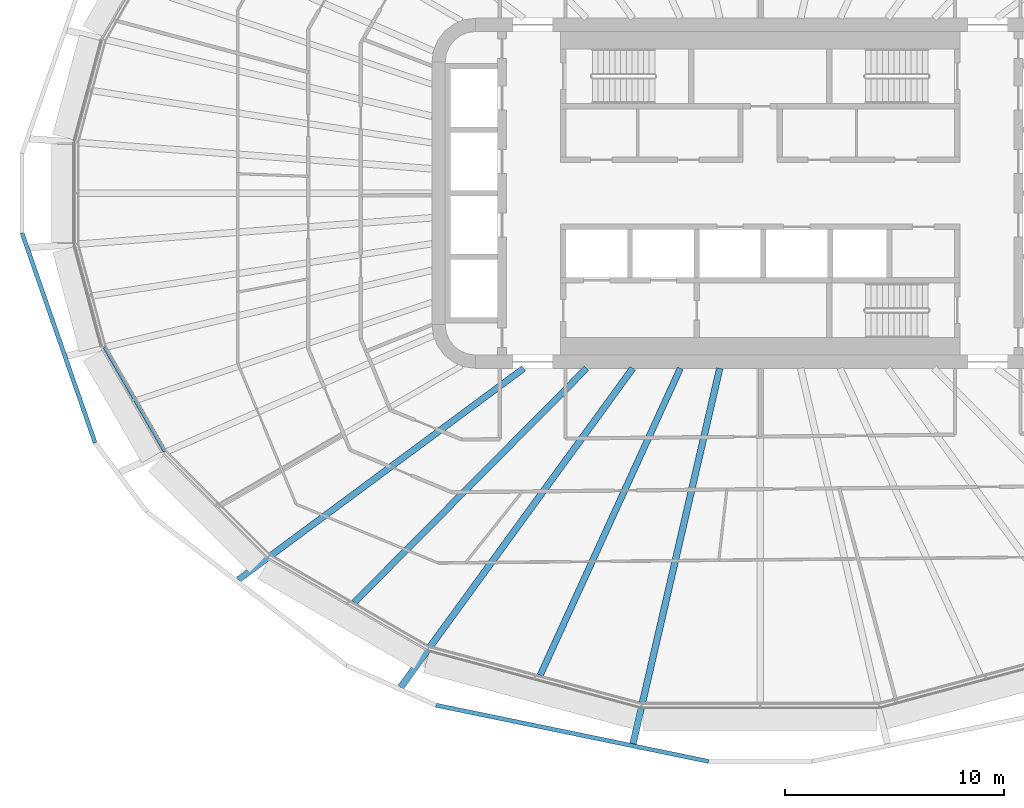
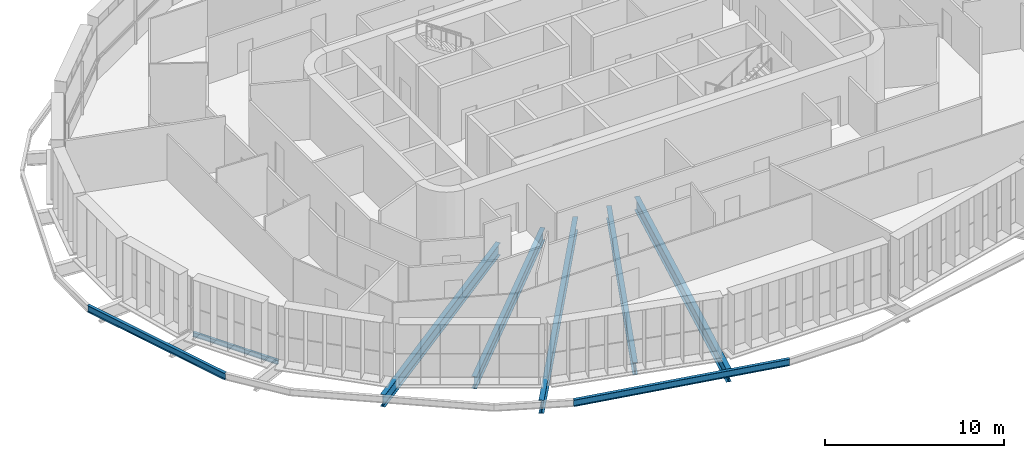
# One storey, part 2 of 28: 8 beams.
"""IFC4 building model written with IfcOpenShell, lengths in metres."""

from ifc_helpers import new_model, si_unit, direction, frame, origin, origin_2d, place, context, subcontext, project, spatial, i_section, extrude, material, material_profile, profile_set, type_object, element, save


model = new_model("IFC4")

# Units and contexts
model_context = context("Model", 3, precision=1e-05, world=origin(), true_north=direction((0.0, 1.0)))
body_context = subcontext(model_context, "Body", "Model", "MODEL_VIEW")
ifc_project = project(units=[si_unit("LENGTHUNIT", "METRE"), si_unit("AREAUNIT", "SQUARE_METRE"), si_unit("VOLUMEUNIT", "CUBIC_METRE"), si_unit("PLANEANGLEUNIT", "RADIAN"), si_unit("MASSUNIT", "GRAM", prefix="KILO")], contexts=[model_context])

# Site, building, storey
site_placement = place(None, origin())
site = spatial("IfcSite", under=ifc_project, at=site_placement, CompositionType="ELEMENT")
building_placement = place(site_placement, origin())
building = spatial("IfcBuilding", under=site, at=building_placement, Name="Sahrelin Media Tower", CompositionType="ELEMENT")
storey_placement = place(building_placement, frame((0.0, 0.0, 75.60009765625)))
storey = spatial("IfcBuildingStorey", under=building, at=storey_placement, Name="L13", CompositionType="ELEMENT", Elevation=75.60009765625)

# Beams
ifc_material = material(Name="Steel S355", Category="steel")
ifc_material_profile_1 = material_profile(ifc_material, i_section(OverallWidth=0.1650390625, OverallDepth=0.303466796875, WebThickness=0.006103515625, FlangeThickness=0.01025390625, FilletRadius=0.0087890625, at=origin_2d()), Name="UB 305x165x40")
ifc_profile_set_1 = profile_set([ifc_material_profile_1], Name="Steel S355")
beam_type_1 = type_object("IfcBeamType", Name="Edge beam EB2", PredefinedType="BEAM", material=ifc_profile_set_1)
beam_1_placement = place(storey_placement, frame((-27.205810546875, -11.7880859375, -0.3017578125), z_axis=(-0.499990020211, 0.866031165542, 0.0), x_axis=(-0.866031165542, -0.499990020211, 0.0)))
element("IfcBeam", 1, at=beam_1_placement, inside=storey, type_object=beam_type_1, Name="Edge beam L13-10", PredefinedType="BEAM", context=body_context, shape_type="SweptSolid", body=[
    extrude(i_section(OverallWidth=0.1650390625, OverallDepth=0.303466796875, WebThickness=0.006103515625, FlangeThickness=0.01025390625, FilletRadius=0.0087890625, at=origin_2d()), origin(), (0.0, 0.0, 1.0), 5.50244140625),
])
ifc_material_profile_2 = material_profile(ifc_material, i_section(OverallWidth=0.291748046875, OverallDepth=0.8349609375, WebThickness=0.013916015625, FlangeThickness=0.018798828125, FilletRadius=0.017822265625, at=origin_2d()), Name="UB 838x292x176")
ifc_profile_set_2 = profile_set([ifc_material_profile_2], Name="Steel S355")
beam_type_2 = type_object("IfcBeamType", Name="Radial primary beam PB10", PredefinedType="BEAM", material=ifc_profile_set_2)
beam_2_placement = place(storey_placement, frame((-10.804931640625, -8.0, -0.567626953125), z_axis=(-0.803688811916, -0.59504982447, 0.0), x_axis=(0.59504982447, -0.803688811916, 0.0)))
element("IfcBeam", 2, at=beam_2_placement, inside=storey, type_object=beam_type_2, Name="Radial beam L13-16", PredefinedType="BEAM", context=body_context, shape_type="SweptSolid", body=[
    extrude(i_section(OverallWidth=0.291748046875, OverallDepth=0.8349609375, WebThickness=0.013916015625, FlangeThickness=0.018798828125, FilletRadius=0.017822265625, at=origin_2d()), origin(), (0.0, 0.0, 1.0), 16.22998046875),
])
ifc_material_profile_3 = material_profile(ifc_material, i_section(OverallWidth=0.30322265625, OverallDepth=0.903076171875, WebThickness=0.01513671875, FlangeThickness=0.020263671875, FilletRadius=0.01904296875, at=origin_2d()), Name="UB 914x305x201")
ifc_profile_set_3 = profile_set([ifc_material_profile_3], Name="Steel S355")
beam_type_3 = type_object("IfcBeamType", Name="Radial primary beam PB11", PredefinedType="BEAM", material=ifc_profile_set_3)
beam_3_placement = place(storey_placement, frame((-5.823486328125, -8.0, -0.6015625), z_axis=(-0.588521920712, -0.808481260662, 0.0), x_axis=(0.808481260662, -0.588521920712, 0.0)))
element("IfcBeam", 3, at=beam_3_placement, inside=storey, type_object=beam_type_3, Name="Radial beam L13-17", PredefinedType="BEAM", context=body_context, shape_type="SweptSolid", body=[
    extrude(i_section(OverallWidth=0.30322265625, OverallDepth=0.903076171875, WebThickness=0.01513671875, FlangeThickness=0.020263671875, FilletRadius=0.01904296875, at=origin_2d()), origin(), (0.0, 0.0, 1.0), 18.027587890625),
])
beam_4_placement = place(storey_placement, frame((-1.848876953125, -8.0, -0.6015625), z_axis=(-0.22515720883, -0.9743224473, 0.0), x_axis=(0.9743224473, -0.22515720883, 0.0)))
element("IfcBeam", 4, at=beam_4_placement, inside=storey, type_object=beam_type_3, Name="Radial beam L13-18", PredefinedType="BEAM", context=body_context, shape_type="SweptSolid", body=[
    extrude(i_section(OverallWidth=0.30322265625, OverallDepth=0.903076171875, WebThickness=0.01513671875, FlangeThickness=0.020263671875, FilletRadius=0.01904296875, at=origin_2d()), origin(), (0.0, 0.0, 1.0), 17.608154296875),
])
ifc_material_profile_4 = material_profile(ifc_material, i_section(OverallWidth=0.291748046875, OverallDepth=0.8349609375, WebThickness=0.013916015625, FlangeThickness=0.018798828125, FilletRadius=0.017822265625, at=origin_2d()), Name="UB 838x292x176")
ifc_profile_set_4 = profile_set([ifc_material_profile_4], Name="Steel S355")
beam_type_4 = type_object("IfcBeamType", Name="Radial secondary beam SB10", PredefinedType="BEAM", material=ifc_profile_set_4)
beam_5_placement = place(storey_placement, frame((-7.935546875, -8.0, -0.567626953125), z_axis=(-0.704241258755, -0.709960737976, 0.0), x_axis=(0.709960737976, -0.704241258755, 0.0)))
element("IfcBeam", 5, at=beam_5_placement, inside=storey, type_object=beam_type_4, Name="Secondary beam L13-13", PredefinedType="BEAM", context=body_context, shape_type="SweptSolid", body=[
    extrude(i_section(OverallWidth=0.291748046875, OverallDepth=0.8349609375, WebThickness=0.013916015625, FlangeThickness=0.018798828125, FilletRadius=0.017822265625, at=origin_2d()), origin(), (0.0, 0.0, 1.0), 15.068115234375),
])
beam_6_placement = place(storey_placement, frame((-3.6513671875, -8.0, -0.567626953125), z_axis=(-0.415194910581, -0.909732480583, 0.0), x_axis=(0.909732480583, -0.415194910581, 0.0)))
element("IfcBeam", 6, at=beam_6_placement, inside=storey, type_object=beam_type_4, Name="Secondary beam L13-14", PredefinedType="BEAM", context=body_context, shape_type="SweptSolid", body=[
    extrude(i_section(OverallWidth=0.291748046875, OverallDepth=0.8349609375, WebThickness=0.013916015625, FlangeThickness=0.018798828125, FilletRadius=0.017822265625, at=origin_2d()), origin(), (0.0, 0.0, 1.0), 15.416015625),
])
ifc_material_profile_5 = material_profile(ifc_material, i_section(OverallWidth=0.1904296875, OverallDepth=0.45703125, WebThickness=0.009033203125, FlangeThickness=0.014404296875, FilletRadius=0.01025390625, at=origin_2d()), Name="UB 457x191x74")
ifc_profile_set_5 = profile_set([ifc_material_profile_5], Name="Steel S355")
beam_type_5 = type_object("IfcBeamType", Name="Tie chord TC5", PredefinedType="BEAM", material=ifc_profile_set_5)
beam_7_placement = place(storey_placement, frame((-33.73388671875, -1.818115234375, -0.378662109375), z_axis=(0.328772402229, -0.944409184375, 0.0), x_axis=(0.944409184375, 0.328772402229, 0.0)))
element("IfcBeam", 7, at=beam_7_placement, inside=storey, type_object=beam_type_5, Name="Tie chord L13-13", PredefinedType="BEAM", context=body_context, shape_type="SweptSolid", body=[
    extrude(i_section(OverallWidth=0.1904296875, OverallDepth=0.45703125, WebThickness=0.009033203125, FlangeThickness=0.014404296875, FilletRadius=0.01025390625, at=origin_2d()), origin(), (0.0, 0.0, 1.0), 10.154052734375),
])
beam_8_placement = place(storey_placement, frame((-14.821044921875, -23.395263671875, -0.378662109375), z_axis=(0.979386410906, -0.201995688401, 0.0), x_axis=(0.201995688401, 0.979386410906, 0.0)))
element("IfcBeam", 8, at=beam_8_placement, inside=storey, type_object=beam_type_5, Name="Tie chord L13-17", PredefinedType="BEAM", context=body_context, shape_type="SweptSolid", body=[
    extrude(i_section(OverallWidth=0.1904296875, OverallDepth=0.45703125, WebThickness=0.009033203125, FlangeThickness=0.014404296875, FilletRadius=0.01025390625, at=origin_2d()), origin(), (0.0, 0.0, 1.0), 12.720947265625),
])

save(model, "model.ifc")
